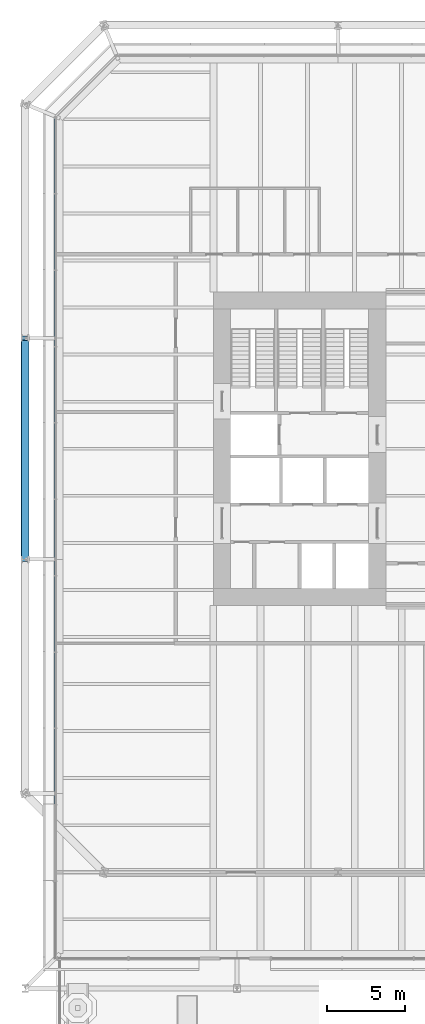
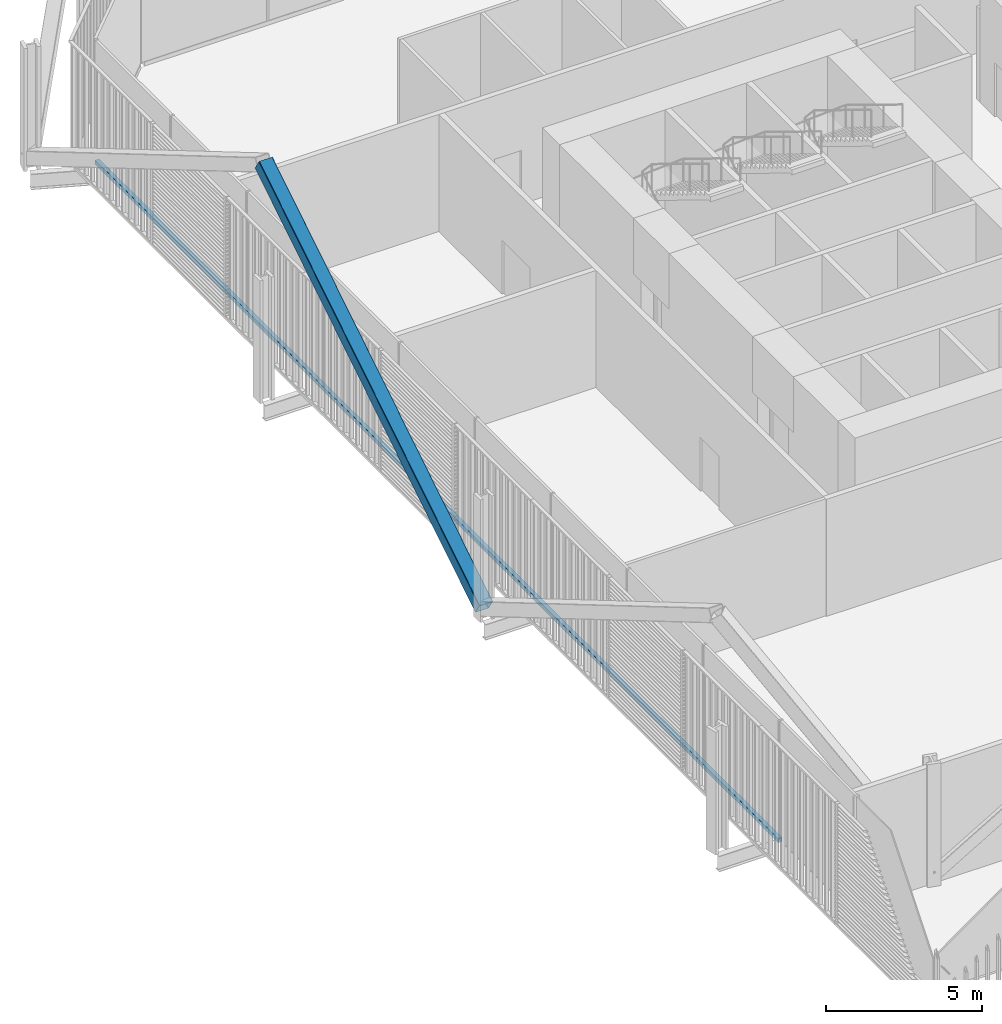
# One storey, part 8 of 26: 2 members, 1 element without a shape of its own.
"""IFC4 building model written with IfcOpenShell, lengths in metres."""

from ifc_helpers import new_model, si_unit, direction, frame, origin, origin_2d, place, context, subcontext, project, spatial, rectangle, hollow_rectangle, extrude, material, layer, layer_set, material_profile, profile_set, type_object, element, aggregate, save


model = new_model("IFC4")

# Units and contexts
model_context = context("Model", 3, precision=1e-05, world=origin(), true_north=direction((0.0, 1.0)))
body_context = subcontext(model_context, "Body", "Model", "MODEL_VIEW")
ifc_project = project(units=[si_unit("LENGTHUNIT", "METRE"), si_unit("AREAUNIT", "SQUARE_METRE"), si_unit("VOLUMEUNIT", "CUBIC_METRE"), si_unit("PLANEANGLEUNIT", "RADIAN"), si_unit("MASSUNIT", "GRAM", prefix="KILO")], contexts=[model_context])

# Site, building, storey
site_placement = place(None, origin())
site = spatial("IfcSite", under=ifc_project, at=site_placement, CompositionType="ELEMENT")
building_placement = place(site_placement, origin())
building = spatial("IfcBuilding", under=site, at=building_placement, Name="Millrace Tower", CompositionType="ELEMENT")
storey_placement = place(building_placement, frame((0.0, 0.0, 11.300048828125)))
storey = spatial("IfcBuildingStorey", under=building, at=storey_placement, Name="L03", CompositionType="ELEMENT", Elevation=11.300048828125)

# Curtain wall, member
ifc_material_1 = material(Name="Aluminium and glass", Category="aluminium")
ifc_layer = layer(ifc_material_1, 0.14990234375)
ifc_layer_set = layer_set([ifc_layer], Name="Aluminium and glass")
curtain_wall_type = type_object("IfcCurtainWallType", Name="CW-2 data hall insulated curtain wall", PredefinedType="NOTDEFINED", material=ifc_layer_set)
curtain_wall_placement = place(storey_placement, origin())
curtain_wall = element("IfcCurtainWall", 1, at=curtain_wall_placement, inside=storey, type_object=curtain_wall_type, Name="Curtain wall AW3-F06 L03", PredefinedType="NOTDEFINED")
ifc_material_2 = material(Name="Aluminium", Category="aluminium")
ifc_material_profile_1 = material_profile(ifc_material_2, rectangle(XDim=0.14990234375, YDim=0.159912109375, at=origin_2d()))
ifc_profile_set_1 = profile_set([ifc_material_profile_1], Name="Aluminium")
member_type_1 = type_object("IfcMemberType", Name="CW-2 data hall insulated curtain wall transom", PredefinedType="USERDEFINED", material=ifc_profile_set_1)
member_1_placement = place(storey_placement, frame((-25.074951171875, 21.050048828125, 0.079833984375), z_axis=(0.0, -1.0, 0.0), x_axis=(1.0, 0.0, 0.0)))
member_1 = element("IfcMember", 2, at=member_1_placement, type_object=member_type_1, Name="CW2 transom AW3-F06.1", ObjectType="TRANSOM", PredefinedType="USERDEFINED", context=body_context, shape_type="SweptSolid", body=[
    extrude(rectangle(XDim=0.14990234375, YDim=0.159912109375, at=origin_2d()), origin(), (0.0, 0.0, 1.0), 43.713623046875),
])
aggregate(curtain_wall, [member_1])

# Member
ifc_material_3 = material(Name="Steel ASTM A500 Grade C", Category="steel")
ifc_material_profile_2 = material_profile(ifc_material_3, hollow_rectangle(XDim=0.508056640625, YDim=0.508056640625, WallThickness=0.022216796875, InnerFilletRadius=0.01123046875, OuterFilletRadius=0.033447265625, at=origin_2d()))
ifc_profile_set_2 = profile_set([ifc_material_profile_2], Name="Steel ASTM A500 Grade C")
member_type_2 = type_object("IfcMemberType", Name="Exoskeleton brace HSS20x20x7/8", PredefinedType="BRACE", material=ifc_profile_set_2)
member_2_placement = place(storey_placement, frame((-27.0, -7.050048828125, 0.39990234375), z_axis=(0.0, 0.848336468551, 0.529457492276), x_axis=(-1.0, 0.0, 0.0)))
element("IfcMember", 3, at=member_2_placement, inside=storey, type_object=member_type_2, Name="BRC-A-L03-15", PredefinedType="BRACE", context=body_context, shape_type="SweptSolid", body=[
    extrude(hollow_rectangle(XDim=0.508056640625, YDim=0.508056640625, WallThickness=0.022216796875, InnerFilletRadius=0.01123046875, OuterFilletRadius=0.033447265625, at=origin_2d()), origin(), (0.0, 0.0, 1.0), 16.620849609375),
])

save(model, "model.ifc")
